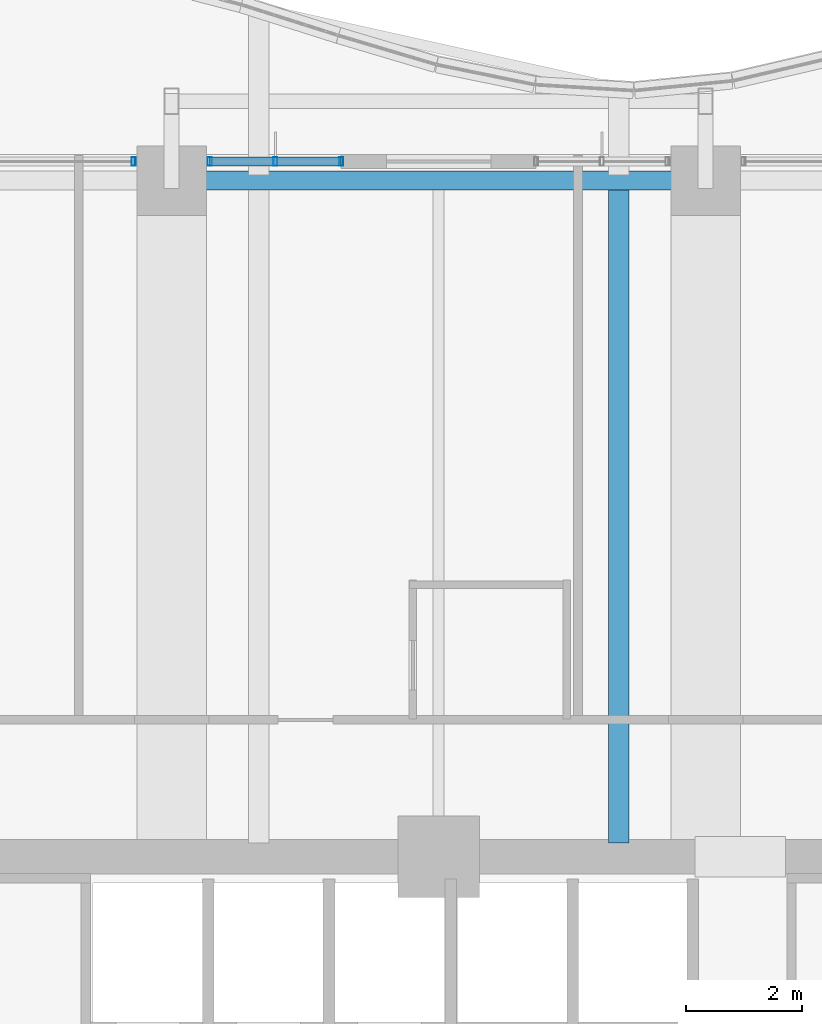
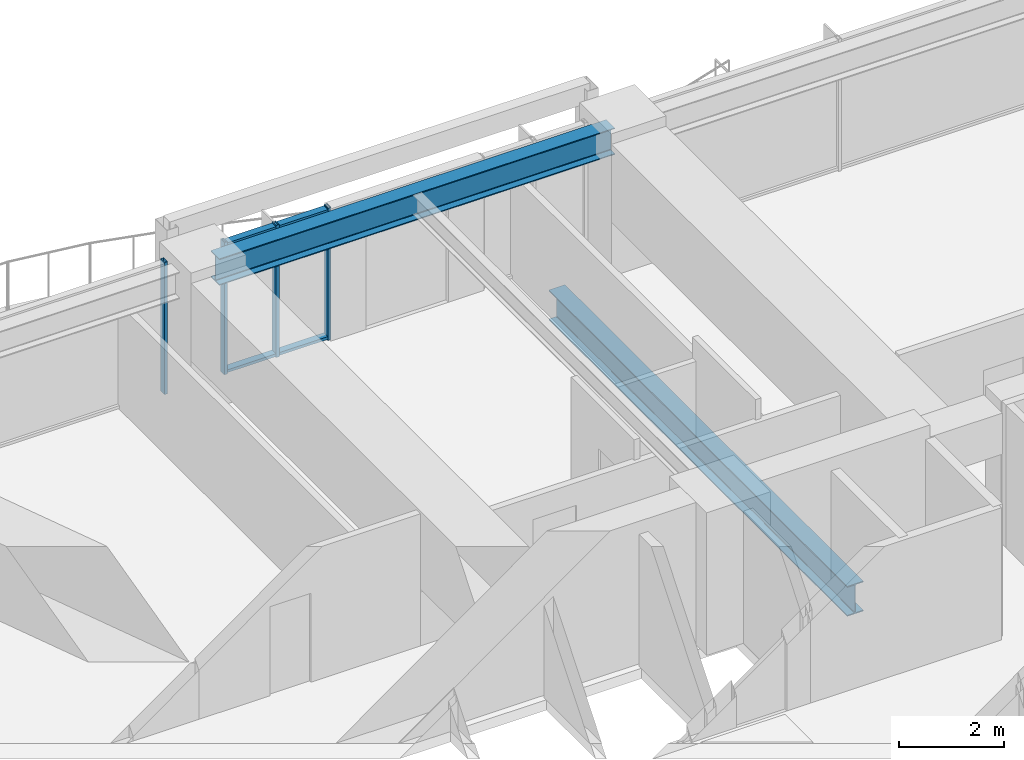
# One storey, part 20 of 37: 6 members, 2 beams, 2 elements without a shape of their own.
"""IFC4 building model written with IfcOpenShell, lengths in metres."""

from ifc_helpers import new_model, si_unit, direction, frame, origin, origin_2d, place, context, subcontext, project, spatial, hollow_rectangle, i_section, extrude, material, material_profile, profile_set, type_object, element, aggregate, save


model = new_model("IFC4")

# Units and contexts
model_context = context("Model", 3, precision=1e-05, world=origin(), true_north=direction((0.0, 1.0)))
body_context = subcontext(model_context, "Body", "Model", "MODEL_VIEW")
ifc_project = project(units=[si_unit("LENGTHUNIT", "METRE"), si_unit("AREAUNIT", "SQUARE_METRE"), si_unit("VOLUMEUNIT", "CUBIC_METRE"), si_unit("PLANEANGLEUNIT", "RADIAN"), si_unit("MASSUNIT", "GRAM", prefix="KILO")], contexts=[model_context])

# Site, building, storey
site_placement = place(None, origin())
site = spatial("IfcSite", under=ifc_project, at=site_placement, CompositionType="ELEMENT")
building_placement = place(site_placement, origin())
building = spatial("IfcBuilding", under=site, at=building_placement, Name="Kolvaren Belvedere", CompositionType="ELEMENT")
storey_placement = place(building_placement, frame((0.0, 0.0, 56.800048828125)))
storey = spatial("IfcBuildingStorey", under=building, at=storey_placement, Name="L16", CompositionType="ELEMENT", Elevation=56.800048828125)

# Beams
ifc_material_1 = material(Name="Structural steel ASTM A992 Grade 50", Category="steel")
ifc_material_profile_1 = material_profile(ifc_material_1, i_section(OverallWidth=0.35498046875, OverallDepth=0.696044921875, WebThickness=0.015380859375, FlangeThickness=0.02490234375, FilletRadius=0.02197265625, at=origin_2d()), Name="W27X146")
ifc_profile_set_1 = profile_set([ifc_material_profile_1], Name="Structural steel ASTM A992 Grade 50")
beam_type_1 = type_object("IfcBeamType", Name="BM-GIRD-W27X146", PredefinedType="BEAM", material=ifc_profile_set_1)
beam_1_placement = place(storey_placement, frame((3.10009765625, 10.139892578125, -0.588134765625), z_axis=(0.0, 1.0, 0.0), x_axis=(-1.0, 0.0, 0.0)))
element("IfcBeam", 1, at=beam_1_placement, inside=storey, type_object=beam_type_1, Name="L16 Balcony Interior Back-Span Girder BAL-N-2", PredefinedType="BEAM", context=body_context, shape_type="SweptSolid", body=[
    extrude(i_section(OverallWidth=0.35498046875, OverallDepth=0.696044921875, WebThickness=0.015380859375, FlangeThickness=0.02490234375, FilletRadius=0.02197265625, at=origin_2d()), origin(), (0.0, 0.0, 1.0), 11.315185546875),
])
ifc_material_2 = material(Name="Structural steel ASTM A992 Grade 50", Category="steel")
ifc_material_profile_2 = material_profile(ifc_material_2, i_section(OverallWidth=0.324951171875, OverallDepth=0.615966796875, WebThickness=0.013916015625, FlangeThickness=0.021484375, FilletRadius=0.02001953125, at=origin_2d()), Name="W24X117")
ifc_profile_set_2 = profile_set([ifc_material_profile_2], Name="Structural steel ASTM A992 Grade 50")
beam_type_2 = type_object("IfcBeamType", Name="BM-SPAN-W24X117", PredefinedType="SPANDREL", material=ifc_profile_set_2)
beam_2_placement = place(storey_placement, frame((4.330078125, 21.550048828125, 2.751953125), z_axis=(-1.0, 0.0, 0.0), x_axis=(0.0, -1.0, 0.0)))
element("IfcBeam", 2, at=beam_2_placement, inside=storey, type_object=beam_type_2, Name="L16 Perimeter Spandrel N3-N2", PredefinedType="SPANDREL", context=body_context, shape_type="SweptSolid", body=[
    extrude(i_section(OverallWidth=0.324951171875, OverallDepth=0.615966796875, WebThickness=0.013916015625, FlangeThickness=0.021484375, FilletRadius=0.02001953125, at=origin_2d()), origin(), (0.0, 0.0, 1.0), 8.66015625),
])

# Curtain wall, member
ifc_material_3 = material(Name="Anodised pale-metal aluminium AA 6063-T6", Category="aluminium")
curtain_wall_type = type_object("IfcCurtainWallType", Name="CW-Z1-LOW", PredefinedType="NOTDEFINED", material=ifc_material_3)
curtain_wall_1_placement = place(storey_placement, origin())
curtain_wall_1 = element("IfcCurtainWall", 3, at=curtain_wall_1_placement, inside=storey, type_object=curtain_wall_type, Name="L16 Unitised Curtain Wall FCW-L16-N1-B1", PredefinedType="NOTDEFINED")
ifc_material_4 = material(Name="Anodised pale-metal aluminium AA 6063-T6", Category="aluminium")
ifc_material_profile_3 = material_profile(ifc_material_4, hollow_rectangle(XDim=0.070068359375, YDim=0.14990234375, WallThickness=0.004150390625, at=origin_2d()), Name="ALU-MUL-150X70")
ifc_profile_set_3 = profile_set([ifc_material_profile_3], Name="Anodised pale-metal aluminium AA 6063-T6")
member_type_1 = type_object("IfcMemberType", Name="CW-MUL-150", PredefinedType="MULLION", material=ifc_profile_set_3)
member_1_placement = place(storey_placement, frame((-5.2548828125, 21.8798828125, 0.0), z_axis=(0.0, 0.0, 1.0), x_axis=(1.0, 0.0, 0.0)))
member_1 = element("IfcMember", 4, at=member_1_placement, type_object=member_type_1, Name="FCW-L16-N1-B1 Unitised Mullion 3", PredefinedType="MULLION", context=body_context, shape_type="SweptSolid", body=[
    extrude(hollow_rectangle(XDim=0.070068359375, YDim=0.14990234375, WallThickness=0.004150390625, at=origin_2d()), origin(), (0.0, 0.0, 1.0), 3.06005859375),
])
aggregate(curtain_wall_1, [member_1])

# Curtain wall, members
curtain_wall_2_placement = place(storey_placement, origin())
curtain_wall_2 = element("IfcCurtainWall", 5, at=curtain_wall_2_placement, inside=storey, type_object=curtain_wall_type, Name="L16 Unitised Curtain Wall FCW-L16-N1-B2", PredefinedType="NOTDEFINED")
member_2_placement = place(storey_placement, frame((-3.945068359375, 21.8798828125, 0.0), z_axis=(0.0, 0.0, 1.0), x_axis=(1.0, 0.0, 0.0)))
member_2 = element("IfcMember", 6, at=member_2_placement, type_object=member_type_1, Name="FCW-L16-N1-B2 Unitised Mullion 1", PredefinedType="MULLION", context=body_context, shape_type="SweptSolid", body=[
    extrude(hollow_rectangle(XDim=0.070068359375, YDim=0.14990234375, WallThickness=0.004150390625, at=origin_2d()), origin(), (0.0, 0.0, 1.0), 3.06005859375),
])
member_3_placement = place(storey_placement, frame((-2.8125, 21.8798828125, 0.0), z_axis=(0.0, 0.0, 1.0), x_axis=(1.0, 0.0, 0.0)))
member_3 = element("IfcMember", 7, at=member_3_placement, type_object=member_type_1, Name="FCW-L16-N1-B2 Unitised Mullion 2", PredefinedType="MULLION", context=body_context, shape_type="SweptSolid", body=[
    extrude(hollow_rectangle(XDim=0.070068359375, YDim=0.14990234375, WallThickness=0.004150390625, at=origin_2d()), origin(), (0.0, 0.0, 1.0), 3.06005859375),
])
member_4_placement = place(storey_placement, frame((-1.679931640625, 21.8798828125, 0.0), z_axis=(0.0, 0.0, 1.0), x_axis=(1.0, 0.0, 0.0)))
member_4 = element("IfcMember", 8, at=member_4_placement, type_object=member_type_1, Name="FCW-L16-N1-B2 Unitised Mullion 3", PredefinedType="MULLION", context=body_context, shape_type="SweptSolid", body=[
    extrude(hollow_rectangle(XDim=0.070068359375, YDim=0.14990234375, WallThickness=0.004150390625, at=origin_2d()), origin(), (0.0, 0.0, 1.0), 3.06005859375),
])
ifc_material_5 = material(Name="Anodised pale-metal aluminium AA 6063-T6", Category="aluminium")
ifc_material_profile_4 = material_profile(ifc_material_5, hollow_rectangle(XDim=0.06494140625, YDim=0.14990234375, WallThickness=0.00390625, at=origin_2d()), Name="ALU-TRN-150X65")
ifc_profile_set_4 = profile_set([ifc_material_profile_4], Name="Anodised pale-metal aluminium AA 6063-T6")
member_type_2 = type_object("IfcMemberType", Name="CW-TRN-150", PredefinedType="USERDEFINED", material=ifc_profile_set_4)
member_5_placement = place(storey_placement, frame((-3.945068359375, 21.8798828125, 0.06005859375), z_axis=(1.0, 0.0, 0.0), x_axis=(0.0, 0.0, 1.0)))
member_5 = element("IfcMember", 9, at=member_5_placement, type_object=member_type_2, Name="FCW-L16-N1-B2 Sill Transom", ObjectType="TRANSOM", PredefinedType="USERDEFINED", context=body_context, shape_type="SweptSolid", body=[
    extrude(hollow_rectangle(XDim=0.06494140625, YDim=0.14990234375, WallThickness=0.00390625, at=origin_2d()), origin(), (0.0, 0.0, 1.0), 2.26513671875),
])
member_6_placement = place(storey_placement, frame((-3.945068359375, 21.8798828125, 3.0), z_axis=(1.0, 0.0, 0.0), x_axis=(0.0, 0.0, 1.0)))
member_6 = element("IfcMember", 10, at=member_6_placement, type_object=member_type_2, Name="FCW-L16-N1-B2 Head Transom", ObjectType="TRANSOM", PredefinedType="USERDEFINED", context=body_context, shape_type="SweptSolid", body=[
    extrude(hollow_rectangle(XDim=0.06494140625, YDim=0.14990234375, WallThickness=0.00390625, at=origin_2d()), origin(), (0.0, 0.0, 1.0), 2.26513671875),
])
aggregate(curtain_wall_2, [member_2, member_3, member_4, member_5, member_6])

save(model, "model.ifc")
